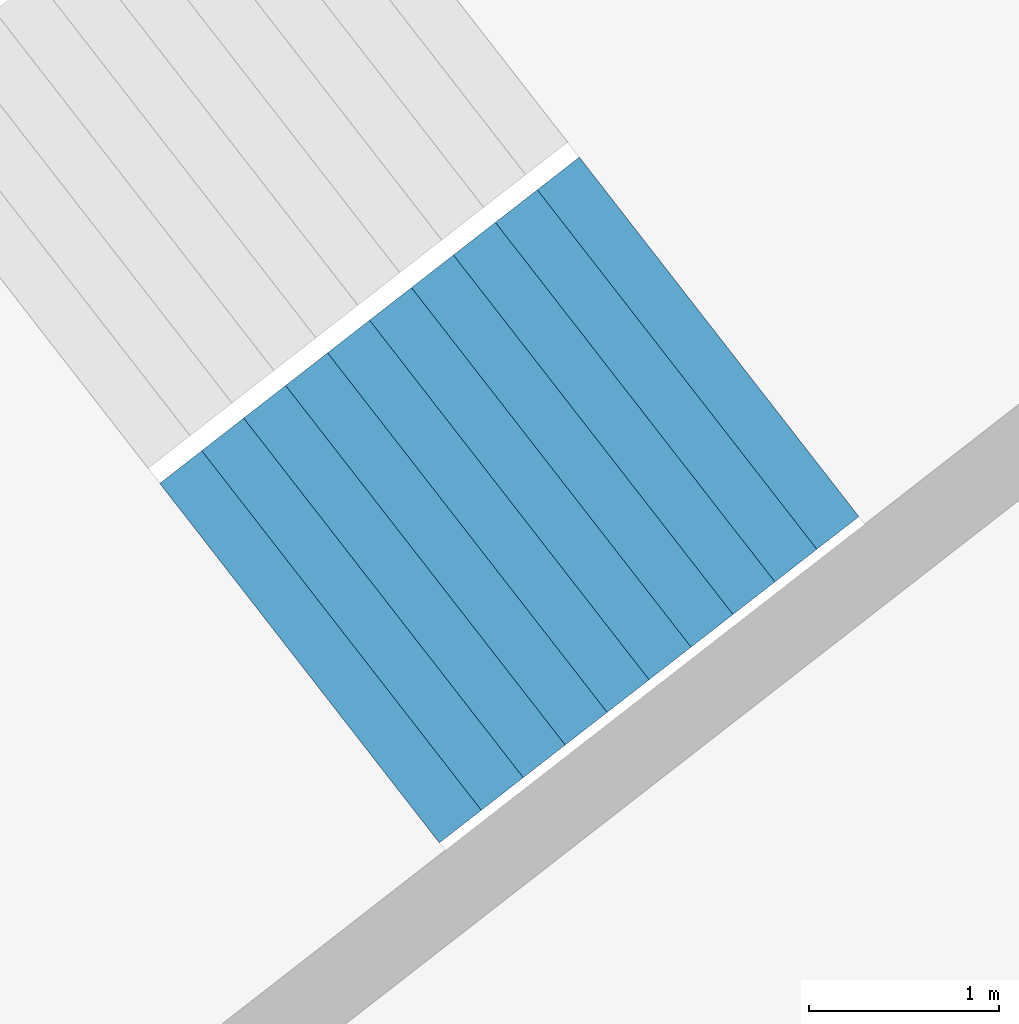
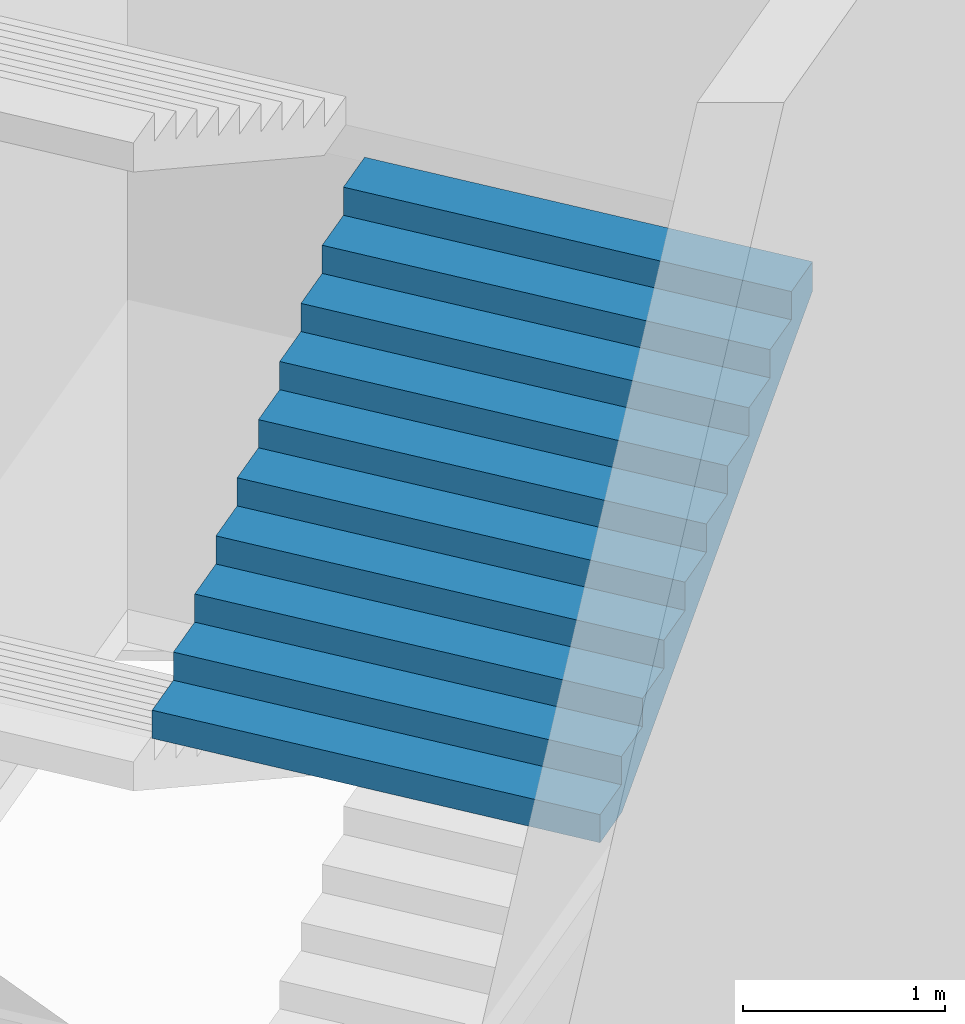
# One storey, part 62 of 73: 1 stair flight, 1 element without a shape of its own.
"""IFC4 building model written with IfcOpenShell, lengths in metres."""

from ifc_helpers import new_model, si_unit, direction, frame, origin, place, context, subcontext, project, spatial, triangles, material, type_object, element, aggregate, save


model = new_model("IFC4")

# Units and contexts
model_context = context("Model", 3, precision=1e-05, world=origin(), true_north=direction((0.0, 1.0)))
body_context = subcontext(model_context, "Body", "Model", "MODEL_VIEW")
ifc_project = project(units=[si_unit("LENGTHUNIT", "METRE"), si_unit("AREAUNIT", "SQUARE_METRE"), si_unit("VOLUMEUNIT", "CUBIC_METRE"), si_unit("PLANEANGLEUNIT", "RADIAN"), si_unit("MASSUNIT", "GRAM", prefix="KILO")], contexts=[model_context])

# Site, building, storey
site_placement = place(None, origin())
site = spatial("IfcSite", under=ifc_project, at=site_placement, CompositionType="ELEMENT")
building_placement = place(site_placement, origin())
building = spatial("IfcBuilding", under=site, at=building_placement, Name="Lantaw Convention Tower", CompositionType="ELEMENT")
storey_placement = place(building_placement, frame((0.0, 0.0, 14.5)))
storey = spatial("IfcBuildingStorey", under=building, at=storey_placement, Name="L02", CompositionType="ELEMENT", Elevation=14.5)

# Stair, stair flight
ifc_material = material(Name="Concrete C35/45", Category="concrete")
stair_type = type_object("IfcStairType", Name="Exit stair 2400 riser 170.45 in 4 flights", PredefinedType="HALF_TURN_STAIR", material=ifc_material)
stair_placement = place(storey_placement, origin())
stair = element("IfcStair", 1, at=stair_placement, inside=storey, type_object=stair_type, Name="Podium exit stair P3 L02", PredefinedType="HALF_TURN_STAIR")
stair_flight_type = type_object("IfcStairFlightType", Name="Stair flight 2400 riser 170.45", PredefinedType="STRAIGHT", material=ifc_material)
stair_flight_placement = place(storey_placement, frame((29.494384765625, 21.3544921875, 3.75), z_axis=(0.0, 0.0, 1.0), x_axis=(0.789378829664, 0.613906396186, 0.0)))
stair_flight = element("IfcStairFlight", 2, at=stair_flight_placement, type_object=stair_flight_type, Name="P3 flight 3", NumberOfRisers=11, NumberOfTreads=10, PredefinedType="STRAIGHT", RiserHeight=0.170454545, TreadLength=0.28, context=body_context, shape_type="Tessellation", body=[
    triangles([(0.0, 1.199951171875, 0.0), (0.0, 1.199951171875, 0.170454545), (0.28, 1.199951171875, 0.0), (0.28, 1.199951171875, 0.170454545), (0.28, 1.199951171875, 0.34090909), (0.28827876332691904, 1.199951171875, 0.0), (0.28827876332691904, 1.199951171875, 0.34090909), (0.56, 1.199951171875, 0.16541471344266906), (0.56, 1.199951171875, 0.34090909), (0.56, 1.199951171875, 0.511363635), (0.8400000000000001, 1.199951171875, 0.335869258442669), (0.8400000000000001, 1.199951171875, 0.511363635), (0.8400000000000001, 1.199951171875, 0.68181818), (1.12, 1.199951171875, 0.506323803442669), (1.12, 1.199951171875, 0.68181818), (1.12, 1.199951171875, 0.8522727250000001), (1.4000000000000001, 1.199951171875, 0.676778348442669), (1.4000000000000001, 1.199951171875, 0.8522727250000001), (1.4000000000000001, 1.199951171875, 1.02272727), (1.6800000000000002, 1.199951171875, 0.847232893442669), (1.6800000000000002, 1.199951171875, 1.02272727), (1.6800000000000002, 1.199951171875, 1.193181815), (1.9600000000000002, 1.199951171875, 1.017687438442669), (1.9600000000000002, 1.199951171875, 1.193181815), (1.9600000000000002, 1.199951171875, 1.36363636), (2.24, 1.199951171875, 1.188141983442669), (2.24, 1.199951171875, 1.36363636), (2.24, 1.199951171875, 1.5340909050000002), (2.5200000000000005, 1.199951171875, 1.358596528442669), (2.5200000000000005, 1.199951171875, 1.5340909050000002), (2.5200000000000005, 1.199951171875, 1.7045454500000001), (2.8000000000000003, 1.199951171875, 1.529051073442669), (2.8000000000000003, 1.199951171875, 1.7045454500000001), (0.0, -1.199951171875, 0.0), (0.0, -1.199951171875, 0.170454545), (0.28, -1.199951171875, 0.0), (0.28, -1.199951171875, 0.170454545), (0.28, -1.199951171875, 0.34090909), (0.28827876332691904, -1.199951171875, 0.0), (0.28827876332691904, -1.199951171875, 0.34090909), (0.56, -1.199951171875, 0.16541471344266906), (0.56, -1.199951171875, 0.34090909), (0.56, -1.199951171875, 0.511363635), (0.8400000000000001, -1.199951171875, 0.335869258442669), (0.8400000000000001, -1.199951171875, 0.511363635), (0.8400000000000001, -1.199951171875, 0.68181818), (1.12, -1.199951171875, 0.506323803442669), (1.12, -1.199951171875, 0.68181818), (1.12, -1.199951171875, 0.8522727250000001), (1.4000000000000001, -1.199951171875, 0.676778348442669), (1.4000000000000001, -1.199951171875, 0.8522727250000001), (1.4000000000000001, -1.199951171875, 1.02272727), (1.6800000000000002, -1.199951171875, 0.847232893442669), (1.6800000000000002, -1.199951171875, 1.02272727), (1.6800000000000002, -1.199951171875, 1.193181815), (1.9600000000000002, -1.199951171875, 1.017687438442669), (1.9600000000000002, -1.199951171875, 1.193181815), (1.9600000000000002, -1.199951171875, 1.36363636), (2.24, -1.199951171875, 1.188141983442669), (2.24, -1.199951171875, 1.36363636), (2.24, -1.199951171875, 1.5340909050000002), (2.5200000000000005, -1.199951171875, 1.358596528442669), (2.5200000000000005, -1.199951171875, 1.5340909050000002), (2.5200000000000005, -1.199951171875, 1.7045454500000001), (2.8000000000000003, -1.199951171875, 1.529051073442669), (2.8000000000000003, -1.199951171875, 1.7045454500000001), (0.0, 0.239990234375, 0.170454545), (0.0, 0.239990234375, 0.0), (0.0, 0.1199951171875, 0.170454545), (0.0, 0.1199951171875, 0.0), (0.0, 0.0, 0.170454545), (0.0, 0.0, 0.0), (0.0, -0.1199951171875, 0.170454545), (0.0, -0.1199951171875, 0.0), (0.0, -0.239990234375, 0.170454545), (0.0, -0.239990234375, 0.0), (0.28, 0.239990234375, 0.34090909), (0.28, 0.239990234375, 0.170454545), (0.28, 0.1199951171875, 0.34090909), (0.28, 0.1199951171875, 0.170454545), (0.28, 0.0, 0.34090909), (0.28, 0.0, 0.170454545), (0.28, -0.1199951171875, 0.34090909), (0.28, -0.1199951171875, 0.170454545), (0.28, -0.239990234375, 0.34090909), (0.28, -0.239990234375, 0.170454545), (0.56, 0.239990234375, 0.511363635), (0.56, 0.239990234375, 0.34090909), (0.56, 0.1199951171875, 0.511363635), (0.56, 0.1199951171875, 0.34090909), (0.56, 0.0, 0.511363635), (0.56, 0.0, 0.34090909), (0.56, -0.1199951171875, 0.511363635), (0.56, -0.1199951171875, 0.34090909), (0.56, -0.239990234375, 0.511363635), (0.56, -0.239990234375, 0.34090909), (0.8400000000000001, 0.239990234375, 0.68181818), (0.8400000000000001, 0.239990234375, 0.511363635), (0.8400000000000001, 0.1199951171875, 0.68181818), (0.8400000000000001, 0.1199951171875, 0.511363635), (0.8400000000000001, 0.0, 0.68181818), (0.8400000000000001, 0.0, 0.511363635), (0.8400000000000001, -0.1199951171875, 0.68181818), (0.8400000000000001, -0.1199951171875, 0.511363635), (0.8400000000000001, -0.239990234375, 0.68181818), (0.8400000000000001, -0.239990234375, 0.511363635), (1.12, 0.239990234375, 0.8522727250000001), (1.12, 0.239990234375, 0.68181818), (1.12, 0.1199951171875, 0.8522727250000001), (1.12, 0.1199951171875, 0.68181818), (1.12, 0.0, 0.8522727250000001), (1.12, 0.0, 0.68181818), (1.12, -0.1199951171875, 0.8522727250000001), (1.12, -0.1199951171875, 0.68181818), (1.12, -0.239990234375, 0.8522727250000001), (1.12, -0.239990234375, 0.68181818), (1.4000000000000001, 0.239990234375, 1.02272727), (1.4000000000000001, 0.239990234375, 0.8522727250000001), (1.4000000000000001, 0.1199951171875, 1.02272727), (1.4000000000000001, 0.1199951171875, 0.8522727250000001), (1.4000000000000001, 0.0, 1.02272727), (1.4000000000000001, 0.0, 0.8522727250000001), (1.4000000000000001, -0.1199951171875, 1.02272727), (1.4000000000000001, -0.1199951171875, 0.8522727250000001), (1.4000000000000001, -0.239990234375, 1.02272727), (1.4000000000000001, -0.239990234375, 0.8522727250000001), (1.6800000000000002, 0.239990234375, 1.193181815), (1.6800000000000002, 0.239990234375, 1.02272727), (1.6800000000000002, 0.1199951171875, 1.193181815), (1.6800000000000002, 0.1199951171875, 1.02272727), (1.6800000000000002, 0.0, 1.193181815), (1.6800000000000002, 0.0, 1.02272727), (1.6800000000000002, -0.1199951171875, 1.193181815), (1.6800000000000002, -0.1199951171875, 1.02272727), (1.6800000000000002, -0.239990234375, 1.193181815), (1.6800000000000002, -0.239990234375, 1.02272727), (1.9600000000000002, 0.239990234375, 1.36363636), (1.9600000000000002, 0.239990234375, 1.193181815), (1.9600000000000002, 0.1199951171875, 1.36363636), (1.9600000000000002, 0.1199951171875, 1.193181815), (1.9600000000000002, 0.0, 1.36363636), (1.9600000000000002, 0.0, 1.193181815), (1.9600000000000002, -0.1199951171875, 1.36363636), (1.9600000000000002, -0.1199951171875, 1.193181815), (1.9600000000000002, -0.239990234375, 1.36363636), (1.9600000000000002, -0.239990234375, 1.193181815), (2.24, 0.239990234375, 1.5340909050000002), (2.24, 0.239990234375, 1.36363636), (2.24, 0.1199951171875, 1.5340909050000002), (2.24, 0.1199951171875, 1.36363636), (2.24, 0.0, 1.5340909050000002), (2.24, 0.0, 1.36363636), (2.24, -0.1199951171875, 1.5340909050000002), (2.24, -0.1199951171875, 1.36363636), (2.24, -0.239990234375, 1.5340909050000002), (2.24, -0.239990234375, 1.36363636), (2.5200000000000005, 0.239990234375, 1.7045454500000001), (2.5200000000000005, 0.239990234375, 1.5340909050000002), (2.5200000000000005, 0.1199951171875, 1.7045454500000001), (2.5200000000000005, 0.1199951171875, 1.5340909050000002), (2.5200000000000005, 0.0, 1.7045454500000001), (2.5200000000000005, 0.0, 1.5340909050000002), (2.5200000000000005, -0.1199951171875, 1.7045454500000001), (2.5200000000000005, -0.1199951171875, 1.5340909050000002), (2.5200000000000005, -0.239990234375, 1.7045454500000001), (2.5200000000000005, -0.239990234375, 1.5340909050000002), (0.28827876332691904, 0.239990234375, 0.34090909), (0.28827876332691904, 0.1199951171875, 0.34090909), (0.28827876332691904, 0.0, 0.34090909), (0.28827876332691904, -0.1199951171875, 0.34090909), (0.28827876332691904, -0.239990234375, 0.34090909), (2.8000000000000003, 0.239990234375, 1.7045454500000001), (2.8000000000000003, 0.1199951171875, 1.7045454500000001), (2.8000000000000003, 0.0, 1.7045454500000001), (2.8000000000000003, -0.1199951171875, 1.7045454500000001), (2.8000000000000003, -0.239990234375, 1.7045454500000001), (2.8000000000000003, 0.239990234375, 1.5290510734426692), (2.8000000000000003, 0.1199951171875, 1.5290510734426692), (2.8000000000000003, 0.0, 1.5290510734426692), (2.8000000000000003, -0.1199951171875, 1.5290510734426692), (2.8000000000000003, -0.239990234375, 1.5290510734426692), (2.5200000000000005, 0.239990234375, 1.358596528442669), (2.5200000000000005, 0.1199951171875, 1.358596528442669), (2.5200000000000005, 0.0, 1.358596528442669), (2.5200000000000005, -0.1199951171875, 1.358596528442669), (2.5200000000000005, -0.239990234375, 1.358596528442669), (2.24, 0.239990234375, 1.188141983442669), (2.24, 0.1199951171875, 1.188141983442669), (2.24, 0.0, 1.188141983442669), (2.24, -0.1199951171875, 1.188141983442669), (2.24, -0.239990234375, 1.188141983442669), (1.9600000000000002, 0.239990234375, 1.017687438442669), (1.9600000000000002, 0.1199951171875, 1.017687438442669), (1.9600000000000002, 0.0, 1.017687438442669), (1.9600000000000002, -0.1199951171875, 1.017687438442669), (1.9600000000000002, -0.239990234375, 1.017687438442669), (1.6800000000000002, 0.239990234375, 0.847232893442669), (1.6800000000000002, 0.1199951171875, 0.847232893442669), (1.6800000000000002, 0.0, 0.847232893442669), (1.6800000000000002, -0.1199951171875, 0.847232893442669), (1.6800000000000002, -0.239990234375, 0.847232893442669), (1.4000000000000001, 0.239990234375, 0.676778348442669), (1.4000000000000001, 0.1199951171875, 0.676778348442669), (1.4000000000000001, 0.0, 0.676778348442669), (1.4000000000000001, -0.1199951171875, 0.676778348442669), (1.4000000000000001, -0.239990234375, 0.676778348442669), (1.12, 0.239990234375, 0.506323803442669), (1.12, 0.1199951171875, 0.506323803442669), (1.12, 0.0, 0.506323803442669), (1.12, -0.1199951171875, 0.506323803442669), (1.12, -0.239990234375, 0.506323803442669), (0.8400000000000001, 0.239990234375, 0.335869258442669), (0.8400000000000001, 0.1199951171875, 0.335869258442669), (0.8400000000000001, 0.0, 0.335869258442669), (0.8400000000000001, -0.1199951171875, 0.335869258442669), (0.8400000000000001, -0.239990234375, 0.335869258442669), (0.56, 0.239990234375, 0.16541471344266906), (0.56, 0.1199951171875, 0.16541471344266906), (0.56, 0.0, 0.16541471344266906), (0.56, -0.1199951171875, 0.16541471344266906), (0.56, -0.239990234375, 0.16541471344266906), (0.28827876332691904, 0.239990234375, 0.0), (0.28827876332691904, 0.1199951171875, 0.0), (0.28827876332691904, 0.0, 0.0), (0.28827876332691904, -0.1199951171875, 0.0), (0.28827876332691904, -0.239990234375, 0.0), (0.28, 0.239990234375, 0.0), (0.28, 0.1199951171875, 0.0), (0.28, 0.0, 0.0), (0.28, -0.1199951171875, 0.0), (0.28, -0.239990234375, 0.0)], [[1, 4, 3], [1, 2, 4], [3, 4, 6], [4, 7, 6], [4, 5, 7], [6, 9, 8], [6, 7, 9], [8, 9, 11], [9, 12, 11], [9, 10, 12], [11, 12, 14], [12, 15, 14], [12, 13, 15], [14, 15, 17], [15, 18, 17], [15, 16, 18], [17, 18, 20], [18, 21, 20], [18, 19, 21], [20, 21, 23], [21, 24, 23], [21, 22, 24], [23, 24, 26], [24, 27, 26], [24, 25, 27], [26, 27, 29], [27, 30, 29], [27, 28, 30], [29, 30, 32], [30, 33, 32], [30, 31, 33], [34, 36, 37], [34, 37, 35], [36, 39, 37], [37, 39, 40], [37, 40, 38], [39, 41, 42], [39, 42, 40], [41, 44, 42], [42, 44, 45], [42, 45, 43], [44, 47, 45], [45, 47, 48], [45, 48, 46], [47, 50, 48], [48, 50, 51], [48, 51, 49], [50, 53, 51], [51, 53, 54], [51, 54, 52], [53, 56, 54], [54, 56, 57], [54, 57, 55], [56, 59, 57], [57, 59, 60], [57, 60, 58], [59, 62, 60], [60, 62, 63], [60, 63, 61], [62, 65, 63], [63, 65, 66], [63, 66, 64], [1, 67, 2], [1, 68, 67], [68, 69, 67], [68, 70, 69], [70, 71, 69], [70, 72, 71], [72, 73, 71], [72, 74, 73], [74, 75, 73], [74, 76, 75], [76, 35, 75], [76, 34, 35], [4, 77, 5], [4, 78, 77], [78, 79, 77], [78, 80, 79], [80, 81, 79], [80, 82, 81], [82, 83, 81], [82, 84, 83], [84, 85, 83], [84, 86, 85], [86, 38, 85], [86, 37, 38], [9, 87, 10], [9, 88, 87], [88, 89, 87], [88, 90, 89], [90, 91, 89], [90, 92, 91], [92, 93, 91], [92, 94, 93], [94, 95, 93], [94, 96, 95], [96, 43, 95], [96, 42, 43], [12, 97, 13], [12, 98, 97], [98, 99, 97], [98, 100, 99], [100, 101, 99], [100, 102, 101], [102, 103, 101], [102, 104, 103], [104, 105, 103], [104, 106, 105], [106, 46, 105], [106, 45, 46], [15, 107, 16], [15, 108, 107], [108, 109, 107], [108, 110, 109], [110, 111, 109], [110, 112, 111], [112, 113, 111], [112, 114, 113], [114, 115, 113], [114, 116, 115], [116, 49, 115], [116, 48, 49], [18, 117, 19], [18, 118, 117], [118, 119, 117], [118, 120, 119], [120, 121, 119], [120, 122, 121], [122, 123, 121], [122, 124, 123], [124, 125, 123], [124, 126, 125], [126, 52, 125], [126, 51, 52], [21, 127, 22], [21, 128, 127], [128, 129, 127], [128, 130, 129], [130, 131, 129], [130, 132, 131], [132, 133, 131], [132, 134, 133], [134, 135, 133], [134, 136, 135], [136, 55, 135], [136, 54, 55], [24, 137, 25], [24, 138, 137], [138, 139, 137], [138, 140, 139], [140, 141, 139], [140, 142, 141], [142, 143, 141], [142, 144, 143], [144, 145, 143], [144, 146, 145], [146, 58, 145], [146, 57, 58], [27, 147, 28], [27, 148, 147], [148, 149, 147], [148, 150, 149], [150, 151, 149], [150, 152, 151], [152, 153, 151], [152, 154, 153], [154, 155, 153], [154, 156, 155], [156, 61, 155], [156, 60, 61], [30, 157, 31], [30, 158, 157], [158, 159, 157], [158, 160, 159], [160, 161, 159], [160, 162, 161], [162, 163, 161], [162, 164, 163], [164, 165, 163], [164, 166, 165], [166, 64, 165], [166, 63, 64], [2, 78, 4], [2, 67, 78], [67, 80, 78], [67, 69, 80], [69, 82, 80], [69, 71, 82], [71, 84, 82], [71, 73, 84], [73, 86, 84], [73, 75, 86], [75, 37, 86], [75, 35, 37], [5, 167, 7], [5, 77, 167], [77, 168, 167], [77, 79, 168], [79, 169, 168], [79, 81, 169], [81, 170, 169], [81, 83, 170], [83, 171, 170], [83, 85, 171], [85, 40, 171], [85, 38, 40], [7, 88, 9], [7, 167, 88], [167, 90, 88], [167, 168, 90], [168, 92, 90], [168, 169, 92], [169, 94, 92], [169, 170, 94], [170, 96, 94], [170, 171, 96], [171, 42, 96], [171, 40, 42], [10, 98, 12], [10, 87, 98], [87, 100, 98], [87, 89, 100], [89, 102, 100], [89, 91, 102], [91, 104, 102], [91, 93, 104], [93, 106, 104], [93, 95, 106], [95, 45, 106], [95, 43, 45], [13, 108, 15], [13, 97, 108], [97, 110, 108], [97, 99, 110], [99, 112, 110], [99, 101, 112], [101, 114, 112], [101, 103, 114], [103, 116, 114], [103, 105, 116], [105, 48, 116], [105, 46, 48], [16, 118, 18], [16, 107, 118], [107, 120, 118], [107, 109, 120], [109, 122, 120], [109, 111, 122], [111, 124, 122], [111, 113, 124], [113, 126, 124], [113, 115, 126], [115, 51, 126], [115, 49, 51], [19, 128, 21], [19, 117, 128], [117, 130, 128], [117, 119, 130], [119, 132, 130], [119, 121, 132], [121, 134, 132], [121, 123, 134], [123, 136, 134], [123, 125, 136], [125, 54, 136], [125, 52, 54], [22, 138, 24], [22, 127, 138], [127, 140, 138], [127, 129, 140], [129, 142, 140], [129, 131, 142], [131, 144, 142], [131, 133, 144], [133, 146, 144], [133, 135, 146], [135, 57, 146], [135, 55, 57], [25, 148, 27], [25, 137, 148], [137, 150, 148], [137, 139, 150], [139, 152, 150], [139, 141, 152], [141, 154, 152], [141, 143, 154], [143, 156, 154], [143, 145, 156], [145, 60, 156], [145, 58, 60], [28, 158, 30], [28, 147, 158], [147, 160, 158], [147, 149, 160], [149, 162, 160], [149, 151, 162], [151, 164, 162], [151, 153, 164], [153, 166, 164], [153, 155, 166], [155, 63, 166], [155, 61, 63], [31, 172, 33], [31, 157, 172], [157, 173, 172], [157, 159, 173], [159, 174, 173], [159, 161, 174], [161, 175, 174], [161, 163, 175], [163, 176, 175], [163, 165, 176], [165, 66, 176], [165, 64, 66], [33, 177, 32], [33, 172, 177], [172, 178, 177], [172, 173, 178], [173, 179, 178], [173, 174, 179], [174, 180, 179], [174, 175, 180], [175, 181, 180], [175, 176, 181], [176, 65, 181], [176, 66, 65], [32, 182, 29], [32, 177, 182], [177, 183, 182], [177, 178, 183], [178, 184, 183], [178, 179, 184], [179, 185, 184], [179, 180, 185], [180, 186, 185], [180, 181, 186], [181, 62, 186], [181, 65, 62], [29, 187, 26], [29, 182, 187], [182, 188, 187], [182, 183, 188], [183, 189, 188], [183, 184, 189], [184, 190, 189], [184, 185, 190], [185, 191, 190], [185, 186, 191], [186, 59, 191], [186, 62, 59], [26, 192, 23], [26, 187, 192], [187, 193, 192], [187, 188, 193], [188, 194, 193], [188, 189, 194], [189, 195, 194], [189, 190, 195], [190, 196, 195], [190, 191, 196], [191, 56, 196], [191, 59, 56], [23, 197, 20], [23, 192, 197], [192, 198, 197], [192, 193, 198], [193, 199, 198], [193, 194, 199], [194, 200, 199], [194, 195, 200], [195, 201, 200], [195, 196, 201], [196, 53, 201], [196, 56, 53], [20, 202, 17], [20, 197, 202], [197, 203, 202], [197, 198, 203], [198, 204, 203], [198, 199, 204], [199, 205, 204], [199, 200, 205], [200, 206, 205], [200, 201, 206], [201, 50, 206], [201, 53, 50], [17, 207, 14], [17, 202, 207], [202, 208, 207], [202, 203, 208], [203, 209, 208], [203, 204, 209], [204, 210, 209], [204, 205, 210], [205, 211, 210], [205, 206, 211], [206, 47, 211], [206, 50, 47], [14, 212, 11], [14, 207, 212], [207, 213, 212], [207, 208, 213], [208, 214, 213], [208, 209, 214], [209, 215, 214], [209, 210, 215], [210, 216, 215], [210, 211, 216], [211, 44, 216], [211, 47, 44], [11, 217, 8], [11, 212, 217], [212, 218, 217], [212, 213, 218], [213, 219, 218], [213, 214, 219], [214, 220, 219], [214, 215, 220], [215, 221, 220], [215, 216, 221], [216, 41, 221], [216, 44, 41], [8, 222, 6], [8, 217, 222], [217, 223, 222], [217, 218, 223], [218, 224, 223], [218, 219, 224], [219, 225, 224], [219, 220, 225], [220, 226, 225], [220, 221, 226], [221, 39, 226], [221, 41, 39], [6, 227, 3], [6, 222, 227], [222, 228, 227], [222, 223, 228], [223, 229, 228], [223, 224, 229], [224, 230, 229], [224, 225, 230], [225, 231, 230], [225, 226, 231], [226, 36, 231], [226, 39, 36], [3, 68, 1], [3, 227, 68], [227, 70, 68], [227, 228, 70], [228, 72, 70], [228, 229, 72], [229, 74, 72], [229, 230, 74], [230, 76, 74], [230, 231, 76], [231, 34, 76], [231, 36, 34]], closed=True),
])
aggregate(stair, [stair_flight])

save(model, "model.ifc")
